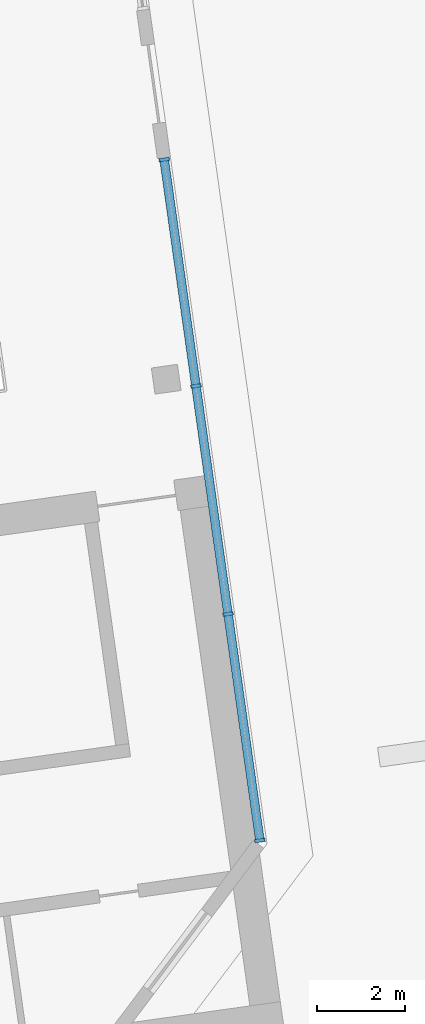
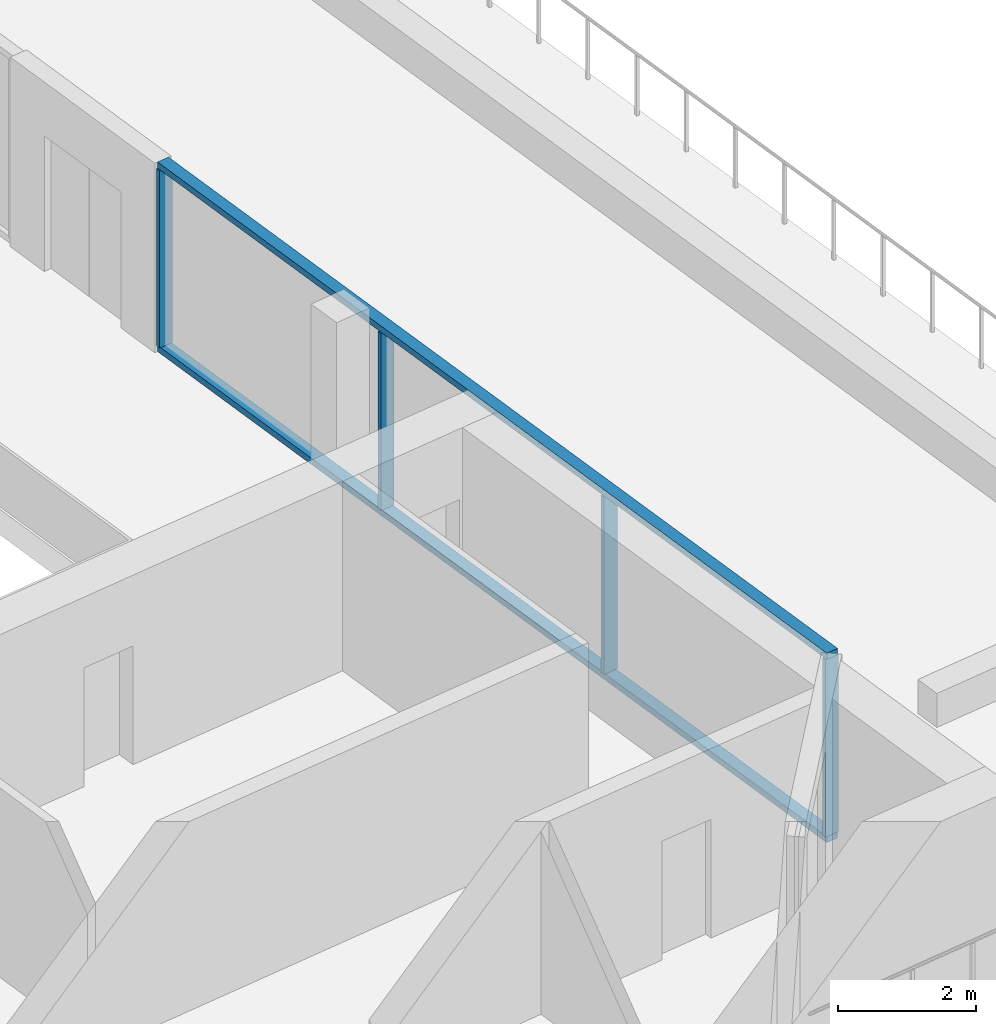
# One storey, part 8 of 23: 6 members, 1 element without a shape of its own.
"""IFC4 building model written with IfcOpenShell, lengths in metres."""

import ifcopenshell
import ifcopenshell.guid

model = None  # the IFC model being written
_history = None  # IfcOwnerHistory: only IFC2X3 demands one
_inside = {}  # id of a spatial element -> (the spatial element, [elements in it])
_under = {}  # id of a project, library or spatial element -> (it, [spatial elements below it])
_declared = {}  # id of a project -> (the project, [libraries it declares])
_typed = {}  # id of a type object -> (the type object, [elements of that type])
_made_of = {}  # id of a material, layer set ... -> (it, [elements and type objects made of it])


def new_model(schema):
    """Start an empty IFC model of exactly this schema.

    Asked for "IFC4X3", IfcOpenShell would pick the latest addendum, in which some entities
    have other attributes; the version numbers below select the first issue.
    IFC2X3 requires an IfcOwnerHistory on every rooted entity: one is made here for all.
    """
    global model, _history
    if schema == "IFC4X3":
        model = ifcopenshell.file(schema_version=(4, 3, 0, 0))
    else:
        model = ifcopenshell.file(schema=schema)
    _inside.clear()
    _under.clear()
    _declared.clear()
    _typed.clear()
    _made_of.clear()
    _history = None
    if model.schema == "IFC2X3":
        org = make("IfcOrganization", Name="unknown")
        user = make(
            "IfcPersonAndOrganization",
            ThePerson=make("IfcPerson", FamilyName="unknown"),
            TheOrganization=org,
        )
        app = make(
            "IfcApplication",
            ApplicationDeveloper=org,
            Version="unknown",
            ApplicationFullName="unknown",
            ApplicationIdentifier="unknown",
        )
        _history = make(
            "IfcOwnerHistory",
            OwningUser=user,
            OwningApplication=app,
            ChangeAction="ADDED",
            CreationDate=0,
        )
    return model


def make(cls, **values):
    """One entity of the class cls with the attributes given. An attribute that is None is left unset."""
    return model.create_entity(
        cls, **{name: value for name, value in values.items() if value is not None}
    )


def rooted(cls, **values):
    """An entity with a GlobalId (a new one), such as an element, a storey or a relation."""
    return make(cls, GlobalId=ifcopenshell.guid.new(), OwnerHistory=_history, **values)


def si_unit(unit_type, name, prefix=None):
    """IfcSIUnit, for example si_unit("LENGTHUNIT", "METRE", prefix="MILLI")."""
    return make("IfcSIUnit", UnitType=unit_type, Prefix=prefix, Name=name)


def assignment(units):
    """IfcUnitAssignment: the units of a project."""
    return None if units is None else make("IfcUnitAssignment", Units=units)


def point(xyz):
    """IfcCartesianPoint."""
    return None if xyz is None else make("IfcCartesianPoint", Coordinates=xyz)


def direction(xyz):
    """IfcDirection."""
    return None if xyz is None else make("IfcDirection", DirectionRatios=xyz)


def frame(location, z_axis=None, x_axis=None):
    """IfcAxis2Placement3D, a coordinate frame: its origin and axes. An axis left out is left unset."""
    return make(
        "IfcAxis2Placement3D",
        Location=point(location),
        Axis=direction(z_axis),
        RefDirection=direction(x_axis),
    )


def frame_2d(location, x_axis=None):
    """IfcAxis2Placement2D, a coordinate frame in the plane: its origin and x axis."""
    return make(
        "IfcAxis2Placement2D", Location=point(location), RefDirection=direction(x_axis)
    )


def origin():
    """The frame at (0, 0, 0) with its axes left unset."""
    return frame((0.0, 0.0, 0.0))


def origin_2d():
    """The frame at (0, 0) in the plane with its x axis left unset."""
    return frame_2d((0.0, 0.0))


def place(relative_to, where):
    """IfcLocalPlacement: puts the frame where relative to a parent placement (None: the world)."""
    return make(
        "IfcLocalPlacement", PlacementRelTo=relative_to, RelativePlacement=where
    )


def context(
    kind, dimensions, precision=None, world=None, true_north=None, identifier=None
):
    """IfcGeometricRepresentationContext, for example the 3D "Model" context."""
    return make(
        "IfcGeometricRepresentationContext",
        ContextIdentifier=identifier,
        ContextType=kind,
        CoordinateSpaceDimension=dimensions,
        Precision=precision,
        WorldCoordinateSystem=world,
        TrueNorth=true_north,
    )


def subcontext(parent, identifier, kind, view, scale=None):
    """IfcGeometricRepresentationSubContext, for example "Body" below "Model"."""
    return make(
        "IfcGeometricRepresentationSubContext",
        ContextIdentifier=identifier,
        ContextType=kind,
        ParentContext=parent,
        TargetScale=scale,
        TargetView=view,
    )


def project(units=None, contexts=None):
    """IfcProject with its units and contexts."""
    return rooted(
        "IfcProject",
        Name="project",
        RepresentationContexts=contexts,
        UnitsInContext=assignment(units),
    )


def spatial(cls, under=None, at=None, **own):
    """A site, building, storey or space (cls), placed at a placement, below another one or the project."""
    s = rooted(cls, ObjectPlacement=at, **own)
    if under is not None:
        _under.setdefault(under.id(), (under, []))[1].append(s)
    return s


def profile(cls, at=None, kind="AREA", **sizes):
    """A parametric profile (cls). Its sizes go by their IFC names, for example OverallWidth=200.0."""
    return make(cls, ProfileType=kind, Position=at, **sizes)


def rectangle(**sizes):
    """IfcRectangleProfileDef."""
    return profile("IfcRectangleProfileDef", **sizes)


def extrude(swept, where, along, depth):
    """IfcExtrudedAreaSolid: the profile swept, set in the frame where, extruded along a direction by depth."""
    return make(
        "IfcExtrudedAreaSolid",
        SweptArea=swept,
        Position=where,
        ExtrudedDirection=direction(along),
        Depth=depth,
    )


def shape(context_of_items, identifier, shape_type, items):
    """IfcShapeRepresentation: the items that make up one representation, for example the "Body"."""
    return make(
        "IfcShapeRepresentation",
        ContextOfItems=context_of_items,
        RepresentationIdentifier=identifier,
        RepresentationType=shape_type,
        Items=items,
    )


def material(Name=None, Category=None):
    """IfcMaterial."""
    return make("IfcMaterial", Name=Name, Category=Category)


def material_profile(
    of_material, cross_section, Name=None, Category=None, Priority=None
):
    """IfcMaterialProfile: a cross section and its material."""
    return make(
        "IfcMaterialProfile",
        Name=Name,
        Material=of_material,
        Profile=cross_section,
        Priority=Priority,
        Category=Category,
    )


def profile_set(profiles, Name=None, composite=None):
    """IfcMaterialProfileSet."""
    return make(
        "IfcMaterialProfileSet",
        Name=Name,
        MaterialProfiles=profiles,
        CompositeProfile=composite,
    )


def made_of(thing, what):
    """Note that an element or type object is made of a material, layer set ...; save() writes the relation."""
    if what is not None:
        _made_of.setdefault(what.id(), (what, []))[1].append(thing)
    return thing


def type_object(cls, material=None, **own):
    """A type object (cls), such as IfcWallType, which elements share."""
    return made_of(rooted(cls, **own), material)


def element(
    cls,
    number,
    at=None,
    inside=None,
    cuts=None,
    type_object=None,
    material=None,
    context=None,
    identifier="Body",
    shape_type=None,
    held_by="IfcProductDefinitionShape",
    body=None,
    shapes=None,
    **own,
):
    """One element of the class cls, such as IfcWall. Its Tag is "e" and its number.

    at: its placement. inside: the storey or other place that contains it. cuts: it is an
    opening in that element (IfcRelVoidsElement). A single representation is given by context,
    identifier, shape_type and body (its items); several are given by shapes. held_by: the class
    of the entity that holds the representations. save() writes the other relations.
    """
    e = rooted(cls, Tag="e%d" % number, ObjectPlacement=at, **own)
    if body is not None:
        shapes = [shape(context, identifier, shape_type, body)]
    if shapes is not None:
        e.Representation = make(held_by, Representations=shapes)
    if inside is not None:
        _inside.setdefault(inside.id(), (inside, []))[1].append(e)
    if cuts is not None:
        rooted(
            "IfcRelVoidsElement", RelatingBuildingElement=cuts, RelatedOpeningElement=e
        )
    if type_object is not None:
        _typed.setdefault(type_object.id(), (type_object, []))[1].append(e)
    return made_of(e, material)


def aggregate(whole, parts):
    """IfcRelAggregates: a whole, such as a stair, and the parts it consists of."""
    return rooted("IfcRelAggregates", RelatingObject=whole, RelatedObjects=parts)


def save(model, path):
    """Write the relations noted so far, then the file.

    IfcRelAggregates (storeys below a building ...), IfcRelContainedInSpatialStructure (elements
    in a storey), IfcRelDefinesByType, IfcRelAssociatesMaterial and IfcRelDeclares: one each for
    every whole, place, type object, material and project.
    """
    for whole, parts in _under.values():
        aggregate(whole, parts)
    for where, things in _inside.values():
        rooted(
            "IfcRelContainedInSpatialStructure",
            RelatedElements=things,
            RelatingStructure=where,
        )
    for kind, things in _typed.values():
        rooted("IfcRelDefinesByType", RelatedObjects=things, RelatingType=kind)
    for what, things in _made_of.values():
        rooted("IfcRelAssociatesMaterial", RelatedObjects=things, RelatingMaterial=what)
    for by, libraries in _declared.values():
        rooted("IfcRelDeclares", RelatingContext=by, RelatedDefinitions=libraries)
    model.write(path)


model = new_model("IFC4")

# Units and contexts
model_context = context("Model", 3, precision=1e-05, world=origin(), true_north=direction((0.0, 1.0)))
body_context = subcontext(model_context, "Body", "Model", "MODEL_VIEW")
ifc_project = project(units=[si_unit("LENGTHUNIT", "METRE"), si_unit("AREAUNIT", "SQUARE_METRE"), si_unit("VOLUMEUNIT", "CUBIC_METRE"), si_unit("PLANEANGLEUNIT", "RADIAN"), si_unit("MASSUNIT", "GRAM", prefix="KILO")], contexts=[model_context])

# Site, building, storey
site_placement = place(None, origin())
site = spatial("IfcSite", under=ifc_project, at=site_placement, CompositionType="ELEMENT")
building_placement = place(site_placement, origin())
building = spatial("IfcBuilding", under=site, at=building_placement, Name="Mirante Cascada Hotel Towers", CompositionType="ELEMENT")
storey_placement = place(building_placement, frame((0.0, 0.0, 180.2)))
storey = spatial("IfcBuildingStorey", under=building, at=storey_placement, Name="L42", CompositionType="ELEMENT", Elevation=180.2)

# Curtain wall, members
ifc_material_1 = material(Name="Aluminium mullion and transom frame with clear laminated glass", Category="aluminium")
curtain_wall_type = type_object("IfcCurtainWallType", Name="Sky garden curtain wall ECW4", PredefinedType="NOTDEFINED", material=ifc_material_1)
curtain_wall_placement = place(storey_placement, origin())
curtain_wall = element("IfcCurtainWall", 1, at=curtain_wall_placement, inside=storey, type_object=curtain_wall_type, Name="Sky garden wall T2 L42 run 1", PredefinedType="NOTDEFINED")
ifc_material_2 = material(Name="Anodised aluminium extrusion", Category="aluminium")
ifc_material_profile_1 = material_profile(ifc_material_2, rectangle(XDim=0.24, YDim=0.075, at=origin_2d()), Name="ECW4 MULLION 75x240")
ifc_profile_set_1 = profile_set([ifc_material_profile_1], Name="Anodised aluminium extrusion")
member_type_1 = type_object("IfcMemberType", Name="ECW4 mullion 75x240", PredefinedType="MULLION", material=ifc_profile_set_1)
member_1_placement = place(storey_placement, frame((85.3301, -8.7658, 0.11), z_axis=(0.0, 0.0, 1.0), x_axis=(-0.9902681, -0.1391731, 0.0)))
member_1 = element("IfcMember", 2, at=member_1_placement, type_object=member_type_1, Name="ECW4 mullion 1", PredefinedType="MULLION", context=body_context, shape_type="SweptSolid", body=[
    extrude(rectangle(XDim=0.24, YDim=0.075, at=origin_2d()), origin(), (0.0, 0.0, 1.0), 3.13),
])
member_2_placement = place(storey_placement, frame((84.6052, -3.608, 0.11), z_axis=(0.0, 0.0, 1.0), x_axis=(-0.9902681, -0.1391731, 0.0)))
member_2 = element("IfcMember", 3, at=member_2_placement, type_object=member_type_1, Name="ECW4 mullion 2", PredefinedType="MULLION", context=body_context, shape_type="SweptSolid", body=[
    extrude(rectangle(XDim=0.24, YDim=0.075, at=origin_2d()), origin(), (0.0, 0.0, 1.0), 3.13),
])
member_3_placement = place(storey_placement, frame((83.8751, 1.5869, 0.11), z_axis=(0.0, 0.0, 1.0), x_axis=(-0.9902681, -0.1391731, 0.0)))
member_3 = element("IfcMember", 4, at=member_3_placement, type_object=member_type_1, Name="ECW4 mullion 3", PredefinedType="MULLION", context=body_context, shape_type="SweptSolid", body=[
    extrude(rectangle(XDim=0.24, YDim=0.075, at=origin_2d()), origin(), (0.0, 0.0, 1.0), 3.13),
])
member_4_placement = place(storey_placement, frame((83.1502, 6.7447, 0.11), z_axis=(0.0, 0.0, 1.0), x_axis=(-0.9902681, -0.1391731, 0.0)))
member_4 = element("IfcMember", 5, at=member_4_placement, type_object=member_type_1, Name="ECW4 mullion 4", PredefinedType="MULLION", context=body_context, shape_type="SweptSolid", body=[
    extrude(rectangle(XDim=0.24, YDim=0.075, at=origin_2d()), origin(), (0.0, 0.0, 1.0), 3.13),
])
ifc_material_3 = material(Name="Anodised aluminium extrusion", Category="aluminium")
ifc_material_profile_2 = material_profile(ifc_material_3, rectangle(XDim=0.2, YDim=0.11, at=origin_2d()), Name="ECW4 TRANSOM 110x200")
ifc_profile_set_2 = profile_set([ifc_material_profile_2], Name="Anodised aluminium extrusion")
member_type_2 = type_object("IfcMemberType", Name="ECW4 transom 110x200", PredefinedType="USERDEFINED", material=ifc_profile_set_2)
member_5_placement = place(storey_placement, frame((85.3353, -8.8029, 0.055), z_axis=(-0.1391739, 0.990268, 0.0), x_axis=(-0.990268, -0.1391739, 0.0)))
member_5 = element("IfcMember", 6, at=member_5_placement, type_object=member_type_2, Name="ECW4 sill transom", ObjectType="TRANSOM", PredefinedType="USERDEFINED", context=body_context, shape_type="SweptSolid", body=[
    extrude(rectangle(XDim=0.2, YDim=0.11, at=origin_2d()), origin(), (0.0, 0.0, 1.0), 15.7379),
])
member_6_placement = place(storey_placement, frame((85.3353, -8.8029, 3.295), z_axis=(-0.1391739, 0.990268, 0.0), x_axis=(-0.990268, -0.1391739, 0.0)))
member_6 = element("IfcMember", 7, at=member_6_placement, type_object=member_type_2, Name="ECW4 head transom", ObjectType="TRANSOM", PredefinedType="USERDEFINED", context=body_context, shape_type="SweptSolid", body=[
    extrude(rectangle(XDim=0.2, YDim=0.11, at=origin_2d()), origin(), (0.0, 0.0, 1.0), 15.7379),
])
aggregate(curtain_wall, [member_5, member_6, member_1, member_2, member_3, member_4])

save(model, "model.ifc")
